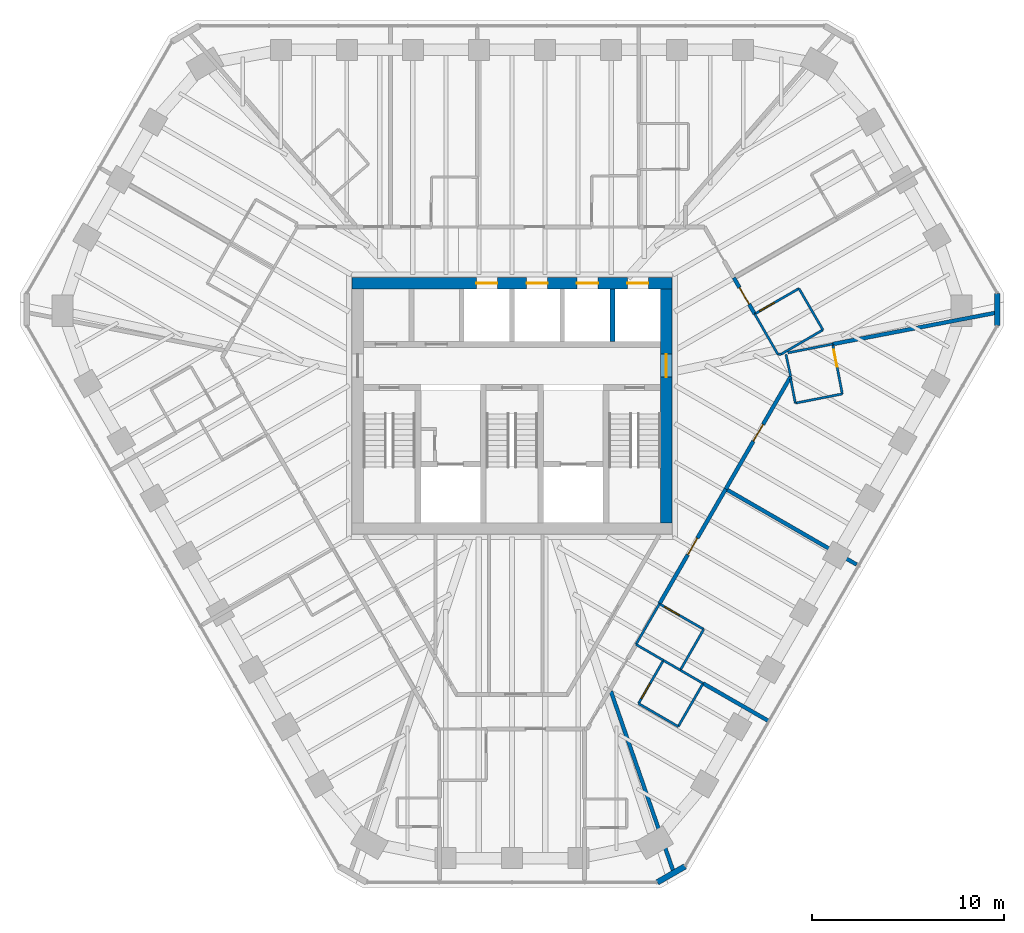
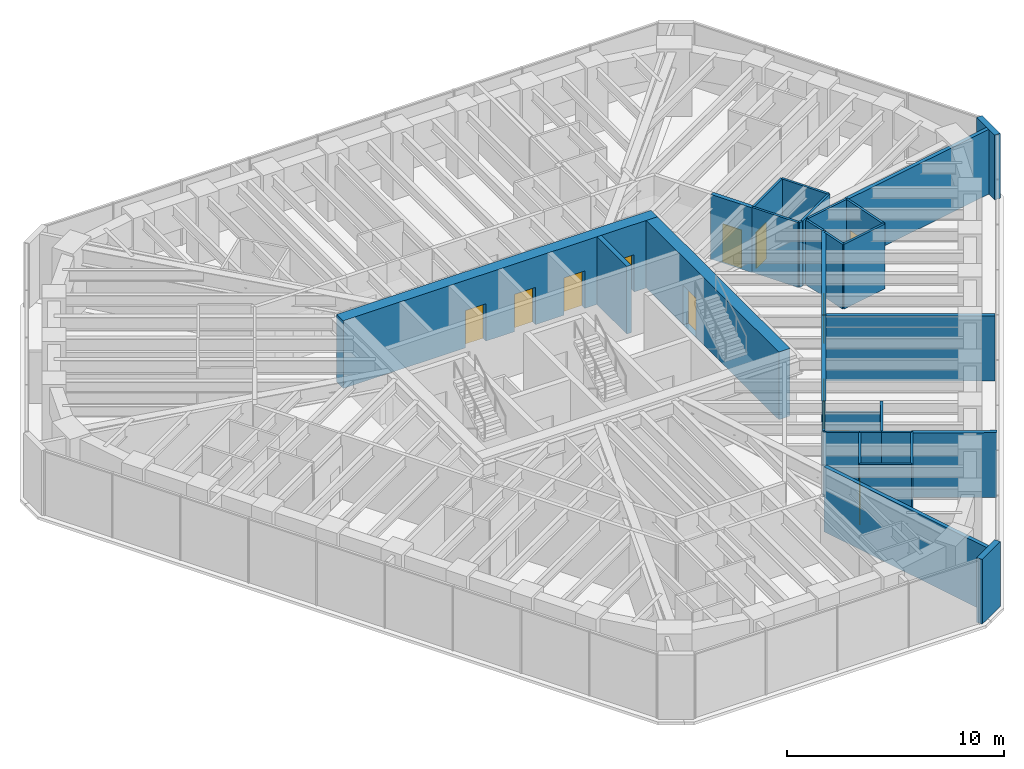
# One storey, part 11 of 14: 31 walls, 12 doors, 12 openings.
"""IFC4 building model written with IfcOpenShell, lengths in metres."""

from ifc_helpers import new_model, si_unit, direction, frame, frame_2d, origin, place, context, subcontext, project, spatial, rectangle, extrude, material, layer, layer_set, type_object, element, fill, save


model = new_model("IFC4")

# Units and contexts
model_context = context("Model", 3, precision=1e-05, world=origin(), true_north=direction((0.0, 1.0)))
body_context = subcontext(model_context, "Body", "Model", "MODEL_VIEW")
ifc_project = project(units=[si_unit("LENGTHUNIT", "METRE"), si_unit("AREAUNIT", "SQUARE_METRE"), si_unit("VOLUMEUNIT", "CUBIC_METRE"), si_unit("PLANEANGLEUNIT", "RADIAN"), si_unit("MASSUNIT", "GRAM", prefix="KILO")], contexts=[model_context])

# Site, building, storey
site_placement = place(None, origin())
site = spatial("IfcSite", under=ifc_project, at=site_placement, CompositionType="ELEMENT")
building_placement = place(site_placement, origin())
building = spatial("IfcBuilding", under=site, at=building_placement, Name="Sandreach Pilgrim Tower", CompositionType="ELEMENT")
storey_placement = place(building_placement, frame((0.0, 0.0, 260.800048828125)))
storey = spatial("IfcBuildingStorey", under=building, at=storey_placement, Name="L65", CompositionType="ELEMENT", Elevation=260.800048828125)

# Walls
ifc_material_1 = material(Name="Moisture-resistant gypsum board on steel studs", Category="steel")
ifc_layer_1 = layer(ifc_material_1, 0.1201171875)
ifc_layer_set_1 = layer_set([ifc_layer_1], Name="Bathroom partition 120")
wall_type_1 = type_object("IfcWallType", Name="Bathroom partition 120", PredefinedType="PARTITIONING", material=ifc_layer_set_1)
wall_1_placement = place(storey_placement, frame((6.46728515625, -12.448486328125, 0.0), z_axis=(0.0, 0.0, 1.0), x_axis=(0.499875104448, 0.866097500258, 0.0)))
element("IfcWall", 1, at=wall_1_placement, inside=storey, type_object=wall_type_1, Name="Bathroom partition L65-080", PredefinedType="PARTITIONING", context=body_context, shape_type="SweptSolid", body=[
    extrude(rectangle(XDim=2.446044921875, YDim=0.1201171875, at=frame_2d((1.22314453125, 0.0))), origin(), (0.0, 0.0, 1.0), 3.639892578125),
])
wall_2_placement = place(storey_placement, frame((6.469970703125, -12.449951171875, 0.0), z_axis=(0.0, 0.0, 1.0), x_axis=(0.864842719649, -0.502042896843, 0.0)))
element("IfcWall", 2, at=wall_2_placement, inside=storey, type_object=wall_type_1, Name="Bathroom partition L65-081", PredefinedType="PARTITIONING", context=body_context, shape_type="SweptSolid", body=[
    extrude(rectangle(XDim=1.6533203125, YDim=0.1201171875, at=frame_2d((0.82666015625, 0.0))), origin(), (0.0, 0.0, 1.0), 3.639892578125),
])
wall_3_placement = place(storey_placement, frame((6.60009765625, -15.530029296875, 0.0), z_axis=(0.0, 0.0, 1.0), x_axis=(0.865130376012, -0.501547039172, 0.0)))
element("IfcWall", 3, at=wall_3_placement, inside=storey, type_object=wall_type_1, Name="Bathroom partition L65-082", PredefinedType="PARTITIONING", context=body_context, shape_type="SweptSolid", body=[
    extrude(rectangle(XDim=2.392578125, YDim=0.1201171875, at=frame_2d((1.1962890625, 0.0))), origin(), (0.0, 0.0, 1.0), 3.639892578125),
])

# Wall, opening, door
wall_4_placement = place(storey_placement, frame((7.89990234375, -13.280029296875, 0.0), z_axis=(0.0, 0.0, 1.0), x_axis=(-0.500221244143, -0.865897630733, 0.0)))
wall_4 = element("IfcWall", 4, at=wall_4_placement, inside=storey, type_object=wall_type_1, Name="Bathroom partition L65-093", PredefinedType="PARTITIONING", context=body_context, shape_type="SweptSolid", body=[
    extrude(rectangle(XDim=2.598388671875, YDim=0.1201171875, at=frame_2d((1.29931640625, 0.0))), origin(), (0.0, 0.0, 1.0), 3.639892578125),
])
opening_1_placement = place(wall_4_placement, frame((1.398681640625, 0.0, 0.0)))
opening_1 = element("IfcOpeningElement", 5, at=opening_1_placement, cuts=wall_4, Name="Opening D09-09B", PredefinedType="OPENING", context=body_context, shape_type="SweptSolid", body=[
    extrude(rectangle(XDim=0.89990234375, YDim=2.030029296875, at=frame_2d((0.449951171875, 1.01513671875))), frame((0.0, 0.06005859375, 0.0), z_axis=(0.0, -1.0, 0.0), x_axis=(1.0, 0.0, 0.0)), (0.0, 0.0, 1.0), 0.1201171875),
])
ifc_material_2 = material(Name="Timber door, steel frame", Category="steel")
door_type_1 = type_object("IfcDoorType", Name="Bathroom door", OperationType="SINGLE_SWING_LEFT", PredefinedType="DOOR", material=ifc_material_2)
door_1_placement = place(opening_1_placement, origin())
door_1 = element("IfcDoor", 6, at=door_1_placement, inside=storey, type_object=door_type_1, Name="Door 6509B", OperationType="SINGLE_SWING_RIGHT", OverallHeight=2.030029296875, OverallWidth=0.89990234375, PredefinedType="DOOR", context=body_context, shape_type="SweptSolid", body=[
    extrude(rectangle(XDim=0.89990234375, YDim=2.030029296875, at=frame_2d((0.449951171875, 1.01513671875))), frame((0.0, 0.02490234375, 0.0), z_axis=(0.0, -1.0, 0.0), x_axis=(1.0, 0.0, 0.0)), (0.0, 0.0, 1.0), 0.050048828125),
])
fill(opening_1, door_1)

# Walls
wall_5_placement = place(storey_placement, frame((7.89990234375, -13.280029296875, 0.0), z_axis=(0.0, 0.0, 1.0), x_axis=(0.86522903342, -0.501376824082, 0.0)))
element("IfcWall", 7, at=wall_5_placement, inside=storey, type_object=wall_type_1, Name="Bathroom partition L65-094", PredefinedType="PARTITIONING", context=body_context, shape_type="SweptSolid", body=[
    extrude(rectangle(XDim=1.017333984375, YDim=0.1201171875, at=frame_2d((0.5087890625, 0.0))), origin(), (0.0, 0.0, 1.0), 3.639892578125),
])
wall_6_placement = place(storey_placement, frame((8.669921875, -16.72998046875, 0.0), z_axis=(0.0, 0.0, 1.0), x_axis=(0.500291685314, 0.865856933682, 0.0)))
element("IfcWall", 8, at=wall_6_placement, inside=storey, type_object=wall_type_1, Name="Bathroom partition L65-096", PredefinedType="PARTITIONING", context=body_context, shape_type="SweptSolid", body=[
    extrude(rectangle(XDim=2.5986328125, YDim=0.1201171875, at=frame_2d((1.29931640625, 0.0))), origin(), (0.0, 0.0, 1.0), 3.639892578125),
])
wall_7_placement = place(storey_placement, frame((8.780029296875, -13.7900390625, 0.0), z_axis=(0.0, 0.0, 1.0), x_axis=(0.865102050426, -0.501595895466, 0.0)))
element("IfcWall", 9, at=wall_7_placement, inside=storey, type_object=wall_type_1, Name="Bathroom partition L65-097", PredefinedType="PARTITIONING", context=body_context, shape_type="SweptSolid", body=[
    extrude(rectangle(XDim=1.37548828125, YDim=0.1201171875, at=frame_2d((0.687744140625, 0.0))), origin(), (0.0, 0.0, 1.0), 3.639892578125),
])
wall_8_placement = place(storey_placement, frame((8.780029296875, -13.7900390625, 0.0), z_axis=(0.0, 0.0, 1.0), x_axis=(0.497027744361, 0.86773464915, 0.0)))
element("IfcWall", 10, at=wall_8_placement, inside=storey, type_object=wall_type_1, Name="Bathroom partition L65-098", PredefinedType="PARTITIONING", context=body_context, shape_type="SweptSolid", body=[
    extrude(rectangle(XDim=2.45458984375, YDim=0.1201171875, at=frame_2d((1.227294921875, 0.0))), origin(), (0.0, 0.0, 1.0), 3.639892578125),
])

# Wall, opening, door
wall_9_placement = place(storey_placement, frame((10.0, -11.659912109375, 0.0), z_axis=(0.0, 0.0, 1.0), x_axis=(-0.866654860089, 0.498908161372, 0.0)))
wall_9 = element("IfcWall", 11, at=wall_9_placement, inside=storey, type_object=wall_type_1, Name="Bathroom partition L65-103", PredefinedType="PARTITIONING", context=body_context, shape_type="SweptSolid", body=[
    extrude(rectangle(XDim=2.66552734375, YDim=0.1201171875, at=frame_2d((1.332763671875, 0.0))), origin(), (0.0, 0.0, 1.0), 3.022705078125),
])
opening_2_placement = place(wall_9_placement, frame((1.465576171875, 0.0, 0.0)))
opening_2 = element("IfcOpeningElement", 12, at=opening_2_placement, cuts=wall_9, Name="Opening D09-08B", PredefinedType="OPENING", context=body_context, shape_type="SweptSolid", body=[
    extrude(rectangle(XDim=0.89990234375, YDim=2.030029296875, at=frame_2d((0.449951171875, 1.01513671875))), frame((0.0, 0.06005859375, 0.0), z_axis=(0.0, -1.0, 0.0), x_axis=(1.0, 0.0, 0.0)), (0.0, 0.0, 1.0), 0.1201171875),
])
door_2_placement = place(opening_2_placement, origin())
door_2 = element("IfcDoor", 13, at=door_2_placement, inside=storey, type_object=door_type_1, Name="Door 6508B", OperationType="SINGLE_SWING_RIGHT", OverallHeight=2.030029296875, OverallWidth=0.89990234375, PredefinedType="DOOR", context=body_context, shape_type="SweptSolid", body=[
    extrude(rectangle(XDim=0.89990234375, YDim=2.030029296875, at=frame_2d((0.449951171875, 1.01513671875))), frame((0.0, 0.02490234375, 0.0), z_axis=(0.0, -1.0, 0.0), x_axis=(1.0, 0.0, 0.0)), (0.0, 0.0, 1.0), 0.050048828125),
])
fill(opening_2, door_2)

# Walls
wall_10_placement = place(storey_placement, frame((12.659912109375, 4.7900390625, 0.0), z_axis=(0.0, 0.0, 1.0), x_axis=(0.498748634132, -0.866746675766, 0.0)))
element("IfcWall", 14, at=wall_10_placement, inside=storey, type_object=wall_type_1, Name="Bathroom partition L65-109", PredefinedType="PARTITIONING", context=body_context, shape_type="SweptSolid", body=[
    extrude(rectangle(XDim=2.446044921875, YDim=0.1201171875, at=frame_2d((1.22314453125, 0.0))), origin(), (0.0, 0.0, 1.0), 3.639892578125),
])
wall_11_placement = place(storey_placement, frame((14.0478515625, 2.70361328125, 0.0), z_axis=(0.0, 0.0, 1.0), x_axis=(-0.981954528773, -0.189117168504, 0.0)))
element("IfcWall", 15, at=wall_11_placement, inside=storey, type_object=wall_type_1, Name="Bathroom partition L65-110", PredefinedType="PARTITIONING", context=body_context, shape_type="SweptSolid", body=[
    extrude(rectangle(XDim=0.167724609375, YDim=0.1201171875, at=frame_2d((0.083984375, 0.0))), origin(), (0.0, 0.0, 1.0), 3.639892578125),
])
wall_12_placement = place(storey_placement, frame((14.050048828125, 2.699951171875, 0.0), z_axis=(0.0, 0.0, 1.0), x_axis=(0.864779406007, 0.502151948065, 0.0)))
element("IfcWall", 16, at=wall_12_placement, inside=storey, type_object=wall_type_1, Name="Bathroom partition L65-111", PredefinedType="PARTITIONING", context=body_context, shape_type="SweptSolid", body=[
    extrude(rectangle(XDim=2.50927734375, YDim=0.1201171875, at=frame_2d((1.254638671875, 0.0))), origin(), (0.0, 0.0, 1.0), 3.639892578125),
])
wall_13_placement = place(storey_placement, frame((14.537109375, 1.401611328125, 0.0), z_axis=(0.0, 0.0, 1.0), x_axis=(0.189058811395, -0.981965766121, 0.0)))
element("IfcWall", 17, at=wall_13_placement, inside=storey, type_object=wall_type_1, Name="Bathroom partition L65-112", PredefinedType="PARTITIONING", context=body_context, shape_type="SweptSolid", body=[
    extrude(rectangle(XDim=1.284912109375, YDim=0.1201171875, at=frame_2d((0.642578125, 0.0))), origin(), (0.0, 0.0, 1.0), 3.639892578125),
])
wall_14_placement = place(storey_placement, frame((14.540283203125, 1.531494140625, 0.0), z_axis=(0.0, 0.0, 1.0), x_axis=(-0.213239076566, 0.977000049245, 0.0)))
element("IfcWall", 18, at=wall_14_placement, inside=storey, type_object=wall_type_1, Name="Bathroom partition L65-113", PredefinedType="PARTITIONING", context=body_context, shape_type="SweptSolid", body=[
    extrude(rectangle(XDim=1.177001953125, YDim=0.1201171875, at=frame_2d((0.58837890625, 0.0))), origin(), (0.0, 0.0, 1.0), 3.639892578125),
])
wall_15_placement = place(storey_placement, frame((14.780029296875, 0.139892578125, 0.0), z_axis=(0.0, 0.0, 1.0), x_axis=(0.981325695508, 0.192353526962, 0.0)))
element("IfcWall", 19, at=wall_15_placement, inside=storey, type_object=wall_type_1, Name="Bathroom partition L65-114", PredefinedType="PARTITIONING", context=body_context, shape_type="SweptSolid", body=[
    extrude(rectangle(XDim=2.49658203125, YDim=0.1201171875, at=frame_2d((1.248291015625, 0.0))), origin(), (0.0, 0.0, 1.0), 3.639892578125),
])

# Wall, opening, door
wall_16_placement = place(storey_placement, frame((14.969970703125, 6.1201171875, 0.0), z_axis=(0.0, 0.0, 1.0), x_axis=(-0.866615255992, -0.498976951453, 0.0)))
wall_16 = element("IfcWall", 20, at=wall_16_placement, inside=storey, type_object=wall_type_1, Name="Bathroom partition L65-115", PredefinedType="PARTITIONING", context=body_context, shape_type="SweptSolid", body=[
    extrude(rectangle(XDim=2.66552734375, YDim=0.1201171875, at=frame_2d((1.332763671875, 0.0))), origin(), (0.0, 0.0, 1.0), 3.639892578125),
])
opening_3_placement = place(wall_16_placement, frame((1.465576171875, 0.0, 0.0)))
opening_3 = element("IfcOpeningElement", 21, at=opening_3_placement, cuts=wall_16, Name="Opening D09-06B", PredefinedType="OPENING", context=body_context, shape_type="SweptSolid", body=[
    extrude(rectangle(XDim=0.89990234375, YDim=2.030029296875, at=frame_2d((0.449951171875, 1.01513671875))), frame((0.0, 0.06005859375, 0.0), z_axis=(0.0, -1.0, 0.0), x_axis=(1.0, 0.0, 0.0)), (0.0, 0.0, 1.0), 0.1201171875),
])
door_3_placement = place(opening_3_placement, origin())
door_3 = element("IfcDoor", 22, at=door_3_placement, inside=storey, type_object=door_type_1, Name="Door 6506B", OperationType="SINGLE_SWING_RIGHT", OverallHeight=2.030029296875, OverallWidth=0.89990234375, PredefinedType="DOOR", context=body_context, shape_type="SweptSolid", body=[
    extrude(rectangle(XDim=0.89990234375, YDim=2.030029296875, at=frame_2d((0.449951171875, 1.01513671875))), frame((0.0, 0.02490234375, 0.0), z_axis=(0.0, -1.0, 0.0), x_axis=(1.0, 0.0, 0.0)), (0.0, 0.0, 1.0), 0.050048828125),
])
fill(opening_3, door_3)

# Walls
wall_17_placement = place(storey_placement, frame((16.219970703125, 3.9599609375, 0.0), z_axis=(0.0, 0.0, 1.0), x_axis=(-0.500893576935, 0.865508881864, 0.0)))
element("IfcWall", 23, at=wall_17_placement, inside=storey, type_object=wall_type_1, Name="Bathroom partition L65-117", PredefinedType="PARTITIONING", context=body_context, shape_type="SweptSolid", body=[
    extrude(rectangle(XDim=2.49560546875, YDim=0.1201171875, at=frame_2d((1.247802734375, 0.0))), origin(), (0.0, 0.0, 1.0), 3.639892578125),
])
wall_18_placement = place(storey_placement, frame((16.72998046875, 3.219970703125, 0.0), z_axis=(0.0, 0.0, 1.0), x_axis=(-0.981490592026, -0.19151035942, 0.0)))
element("IfcWall", 24, at=wall_18_placement, inside=storey, type_object=wall_type_1, Name="Bathroom partition L65-118", PredefinedType="PARTITIONING", context=body_context, shape_type="SweptSolid", body=[
    extrude(rectangle(XDim=2.386474609375, YDim=0.1201171875, at=frame_2d((1.193359375, 0.0))), origin(), (0.0, 0.0, 1.0), 3.639892578125),
])

# Wall, opening, door
wall_19_placement = place(storey_placement, frame((17.22998046875, 0.6201171875, 0.0), z_axis=(0.0, 0.0, 1.0), x_axis=(-0.18885765444, 0.982004473696, 0.0)))
wall_19 = element("IfcWall", 25, at=wall_19_placement, inside=storey, type_object=wall_type_1, Name="Bathroom partition L65-123", PredefinedType="PARTITIONING", context=body_context, shape_type="SweptSolid", body=[
    extrude(rectangle(XDim=2.6474609375, YDim=0.1201171875, at=frame_2d((1.32373046875, 0.0))), origin(), (0.0, 0.0, 1.0), 3.639892578125),
])
opening_4_placement = place(wall_19_placement, frame((1.447509765625, 0.0, 0.0)))
opening_4 = element("IfcOpeningElement", 26, at=opening_4_placement, cuts=wall_19, Name="Opening D09-07B", PredefinedType="OPENING", context=body_context, shape_type="SweptSolid", body=[
    extrude(rectangle(XDim=0.89990234375, YDim=2.030029296875, at=frame_2d((0.449951171875, 1.01513671875))), frame((0.0, 0.06005859375, 0.0), z_axis=(0.0, -1.0, 0.0), x_axis=(1.0, 0.0, 0.0)), (0.0, 0.0, 1.0), 0.1201171875),
])
door_4_placement = place(opening_4_placement, origin())
door_4 = element("IfcDoor", 27, at=door_4_placement, inside=storey, type_object=door_type_1, Name="Door 6507B", OperationType="SINGLE_SWING_RIGHT", OverallHeight=2.030029296875, OverallWidth=0.89990234375, PredefinedType="DOOR", context=body_context, shape_type="SweptSolid", body=[
    extrude(rectangle(XDim=0.89990234375, YDim=2.030029296875, at=frame_2d((0.449951171875, 1.01513671875))), frame((0.0, 0.02490234375, 0.0), z_axis=(0.0, -1.0, 0.0), x_axis=(1.0, 0.0, 0.0)), (0.0, 0.0, 1.0), 0.050048828125),
])
fill(opening_4, door_4)

# Wall, openings, doors
ifc_material_3 = material(Name="Concrete 10000 psi", Category="concrete")
ifc_layer_2 = layer(ifc_material_3, 0.60009765625)
ifc_layer_set_2 = layer_set([ifc_layer_2], Name="Core wall 600")
wall_type_2 = type_object("IfcWallType", Name="Core wall 600", PredefinedType="SHEAR", material=ifc_layer_set_2)
wall_20_placement = place(storey_placement, frame((-8.35009765625, 6.39990234375, 0.0), z_axis=(0.0, 0.0, 1.0), x_axis=(1.0, 0.0, 0.0)))
wall_20 = element("IfcWall", 28, at=wall_20_placement, inside=storey, type_object=wall_type_2, Name="Core wall N L65", PredefinedType="SHEAR", context=body_context, shape_type="SweptSolid", body=[
    extrude(rectangle(XDim=16.7001953125, YDim=0.60009765625, at=frame_2d((8.35009765625, 0.0))), origin(), (0.0, 0.0, 1.0), 3.800048828125),
])
opening_5_placement = place(wall_20_placement, frame((6.487548828125, 0.0, 0.0)))
opening_5 = element("IfcOpeningElement", 29, at=opening_5_placement, cuts=wall_20, Name="Opening LD11", PredefinedType="OPENING", context=body_context, shape_type="SweptSolid", body=[
    extrude(rectangle(XDim=1.10009765625, YDim=2.10009765625, at=frame_2d((0.550048828125, 1.050048828125))), frame((0.0, 0.300048828125, 0.0), z_axis=(0.0, -1.0, 0.0), x_axis=(1.0, 0.0, 0.0)), (0.0, 0.0, 1.0), 0.60009765625),
])
opening_6_placement = place(wall_20_placement, frame((9.112548828125, 0.0, 0.0)))
opening_6 = element("IfcOpeningElement", 30, at=opening_6_placement, cuts=wall_20, Name="Opening LD11", PredefinedType="OPENING", context=body_context, shape_type="SweptSolid", body=[
    extrude(rectangle(XDim=1.10009765625, YDim=2.10009765625, at=frame_2d((0.550048828125, 1.050048828125))), frame((0.0, 0.300048828125, 0.0), z_axis=(0.0, -1.0, 0.0), x_axis=(1.0, 0.0, 0.0)), (0.0, 0.0, 1.0), 0.60009765625),
])
opening_7_placement = place(wall_20_placement, frame((11.737548828125, 0.0, 0.0)))
opening_7 = element("IfcOpeningElement", 31, at=opening_7_placement, cuts=wall_20, Name="Opening LD11", PredefinedType="OPENING", context=body_context, shape_type="SweptSolid", body=[
    extrude(rectangle(XDim=1.10009765625, YDim=2.10009765625, at=frame_2d((0.550048828125, 1.050048828125))), frame((0.0, 0.300048828125, 0.0), z_axis=(0.0, -1.0, 0.0), x_axis=(1.0, 0.0, 0.0)), (0.0, 0.0, 1.0), 0.60009765625),
])
opening_8_placement = place(wall_20_placement, frame((14.362548828125, 0.0, 0.0)))
opening_8 = element("IfcOpeningElement", 32, at=opening_8_placement, cuts=wall_20, Name="Opening LD11", PredefinedType="OPENING", context=body_context, shape_type="SweptSolid", body=[
    extrude(rectangle(XDim=1.10009765625, YDim=2.10009765625, at=frame_2d((0.550048828125, 1.050048828125))), frame((0.0, 0.300048828125, 0.0), z_axis=(0.0, -1.0, 0.0), x_axis=(1.0, 0.0, 0.0)), (0.0, 0.0, 1.0), 0.60009765625),
])
ifc_material_4 = material(Name="Steel door and frame", Category="steel")
door_type_2 = type_object("IfcDoorType", Name="Lift landing door", OperationType="DOUBLE_DOOR_SLIDING", PredefinedType="DOOR", material=ifc_material_4)
door_5_placement = place(opening_5_placement, origin())
door_5 = element("IfcDoor", 33, at=door_5_placement, inside=storey, type_object=door_type_2, Name="Lift landing door Z3A L65", OperationType="DOUBLE_DOOR_SLIDING", OverallHeight=2.10009765625, OverallWidth=1.10009765625, PredefinedType="DOOR", context=body_context, shape_type="SweptSolid", body=[
    extrude(rectangle(XDim=1.10009765625, YDim=2.10009765625, at=frame_2d((0.550048828125, 1.050048828125))), frame((0.0, 0.02490234375, 0.0), z_axis=(0.0, -1.0, 0.0), x_axis=(1.0, 0.0, 0.0)), (0.0, 0.0, 1.0), 0.050048828125),
])
fill(opening_5, door_5)
door_6_placement = place(opening_6_placement, origin())
door_6 = element("IfcDoor", 34, at=door_6_placement, inside=storey, type_object=door_type_2, Name="Lift landing door Z3B L65", OperationType="DOUBLE_DOOR_SLIDING", OverallHeight=2.10009765625, OverallWidth=1.10009765625, PredefinedType="DOOR", context=body_context, shape_type="SweptSolid", body=[
    extrude(rectangle(XDim=1.10009765625, YDim=2.10009765625, at=frame_2d((0.550048828125, 1.050048828125))), frame((0.0, 0.02490234375, 0.0), z_axis=(0.0, -1.0, 0.0), x_axis=(1.0, 0.0, 0.0)), (0.0, 0.0, 1.0), 0.050048828125),
])
fill(opening_6, door_6)
door_7_placement = place(opening_7_placement, origin())
door_7 = element("IfcDoor", 35, at=door_7_placement, inside=storey, type_object=door_type_2, Name="Lift landing door Z3C L65", OperationType="DOUBLE_DOOR_SLIDING", OverallHeight=2.10009765625, OverallWidth=1.10009765625, PredefinedType="DOOR", context=body_context, shape_type="SweptSolid", body=[
    extrude(rectangle(XDim=1.10009765625, YDim=2.10009765625, at=frame_2d((0.550048828125, 1.050048828125))), frame((0.0, 0.02490234375, 0.0), z_axis=(0.0, -1.0, 0.0), x_axis=(1.0, 0.0, 0.0)), (0.0, 0.0, 1.0), 0.050048828125),
])
fill(opening_7, door_7)
door_8_placement = place(opening_8_placement, origin())
door_8 = element("IfcDoor", 36, at=door_8_placement, inside=storey, type_object=door_type_2, Name="Lift landing door Z3D L65", OperationType="DOUBLE_DOOR_SLIDING", OverallHeight=2.10009765625, OverallWidth=1.10009765625, PredefinedType="DOOR", context=body_context, shape_type="SweptSolid", body=[
    extrude(rectangle(XDim=1.10009765625, YDim=2.10009765625, at=frame_2d((0.550048828125, 1.050048828125))), frame((0.0, 0.02490234375, 0.0), z_axis=(0.0, -1.0, 0.0), x_axis=(1.0, 0.0, 0.0)), (0.0, 0.0, 1.0), 0.050048828125),
])
fill(opening_8, door_8)

# Wall, opening, door
wall_21_placement = place(storey_placement, frame((8.050048828125, -6.10009765625, 0.0), z_axis=(0.0, 0.0, 1.0), x_axis=(0.0, 1.0, 0.0)))
wall_21 = element("IfcWall", 37, at=wall_21_placement, inside=storey, type_object=wall_type_2, Name="Core wall E L65", PredefinedType="SHEAR", context=body_context, shape_type="SweptSolid", body=[
    extrude(rectangle(XDim=12.2001953125, YDim=0.60009765625, at=frame_2d((6.10009765625, 0.0))), origin(), (0.0, 0.0, 1.0), 3.800048828125),
])
opening_9_placement = place(wall_21_placement, frame((7.60009765625, 0.0, 0.0)))
opening_9 = element("IfcOpeningElement", 38, at=opening_9_placement, cuts=wall_21, Name="Opening D12F-E", PredefinedType="OPENING", context=body_context, shape_type="SweptSolid", body=[
    extrude(rectangle(XDim=1.199951171875, YDim=2.199951171875, at=frame_2d((0.60009765625, 1.10009765625))), frame((0.0, 0.300048828125, 0.0), z_axis=(0.0, -1.0, 0.0), x_axis=(1.0, 0.0, 0.0)), (0.0, 0.0, 1.0), 0.60009765625),
])
ifc_material_5 = material(Name="Steel door and frame", Category="steel")
door_type_3 = type_object("IfcDoorType", Name="Fire lobby door", OperationType="SINGLE_SWING_LEFT", PredefinedType="DOOR", material=ifc_material_5)
door_9_placement = place(opening_9_placement, origin())
door_9 = element("IfcDoor", 39, at=door_9_placement, inside=storey, type_object=door_type_3, Name="Fire service lobby door E L65", OperationType="SINGLE_SWING_RIGHT", OverallHeight=2.199951171875, OverallWidth=1.199951171875, PredefinedType="DOOR", context=body_context, shape_type="SweptSolid", body=[
    extrude(rectangle(XDim=1.199951171875, YDim=2.199951171875, at=frame_2d((0.60009765625, 1.10009765625))), frame((0.0, 0.02490234375, 0.0), z_axis=(0.0, -1.0, 0.0), x_axis=(1.0, 0.0, 0.0)), (0.0, 0.0, 1.0), 0.050048828125),
])
fill(opening_9, door_9)

ifc_material_6 = material(Name="Gypsum board on steel studs, two layers each side", Category="steel")
ifc_layer_3 = layer(ifc_material_6, 0.199951171875)
ifc_layer_set_3 = layer_set([ifc_layer_3], Name="Corridor wall 200")
wall_type_3 = type_object("IfcWallType", Name="Corridor wall 200", PredefinedType="PARTITIONING", material=ifc_layer_set_3)
wall_22_placement = place(storey_placement, frame((7.68994140625, -10.330078125, 0.0), z_axis=(0.0, 0.0, 1.0), x_axis=(0.500177633683, 0.865922822637, 0.0)))
wall_22 = element("IfcWall", 40, at=wall_22_placement, inside=storey, type_object=wall_type_3, Name="Corridor wall L65-092", PredefinedType="PARTITIONING", context=body_context, shape_type="SweptSolid", body=[
    extrude(rectangle(XDim=6.91748046875, YDim=0.199951171875, at=frame_2d((3.458740234375, 0.0))), origin(), (0.0, 0.0, 1.0), 3.639892578125),
])
opening_10_placement = place(wall_22_placement, frame((2.958740234375, 0.0, 0.0)))
opening_10 = element("IfcOpeningElement", 41, at=opening_10_placement, cuts=wall_22, Name="Opening D10-08", PredefinedType="OPENING", context=body_context, shape_type="SweptSolid", body=[
    extrude(rectangle(XDim=1.0, YDim=2.1298828125, at=frame_2d((0.5, 1.06494140625))), frame((0.0, 0.10009765625, 0.0), z_axis=(0.0, -1.0, 0.0), x_axis=(1.0, 0.0, 0.0)), (0.0, 0.0, 1.0), 0.199951171875),
])
ifc_material_7 = material(Name="Steel door and frame", Category="steel")
door_type_4 = type_object("IfcDoorType", Name="Guest room entry door", OperationType="SINGLE_SWING_LEFT", PredefinedType="DOOR", material=ifc_material_7)
door_10_placement = place(opening_10_placement, origin())
door_10 = element("IfcDoor", 42, at=door_10_placement, inside=storey, type_object=door_type_4, Name="Door 6508", OperationType="SINGLE_SWING_LEFT", OverallHeight=2.1298828125, OverallWidth=1.0, PredefinedType="DOOR", context=body_context, shape_type="SweptSolid", body=[
    extrude(rectangle(XDim=1.0, YDim=2.1298828125, at=frame_2d((0.5, 1.06494140625))), frame((0.0, 0.02490234375, 0.0), z_axis=(0.0, -1.0, 0.0), x_axis=(1.0, 0.0, 0.0)), (0.0, 0.0, 1.0), 0.050048828125),
])
fill(opening_10, door_10)

wall_23_placement = place(storey_placement, frame((11.14990234375, -4.340087890625, 0.0), z_axis=(0.0, 0.0, 1.0), x_axis=(0.500113178326, 0.865960050386, 0.0)))
wall_23 = element("IfcWall", 43, at=wall_23_placement, inside=storey, type_object=wall_type_3, Name="Corridor wall L65-106", PredefinedType="PARTITIONING", context=body_context, shape_type="SweptSolid", body=[
    extrude(rectangle(XDim=6.77880859375, YDim=0.199951171875, at=frame_2d((3.389404296875, 0.0))), origin(), (0.0, 0.0, 1.0), 3.639892578125),
])
opening_11_placement = place(wall_23_placement, frame((2.889404296875, 0.0, 0.0)))
opening_11 = element("IfcOpeningElement", 44, at=opening_11_placement, cuts=wall_23, Name="Opening D10-07", PredefinedType="OPENING", context=body_context, shape_type="SweptSolid", body=[
    extrude(rectangle(XDim=1.0, YDim=2.1298828125, at=frame_2d((0.5, 1.06494140625))), frame((0.0, 0.10009765625, 0.0), z_axis=(0.0, -1.0, 0.0), x_axis=(1.0, 0.0, 0.0)), (0.0, 0.0, 1.0), 0.199951171875),
])
door_11_placement = place(opening_11_placement, origin())
door_11 = element("IfcDoor", 45, at=door_11_placement, inside=storey, type_object=door_type_4, Name="Door 6507", OperationType="SINGLE_SWING_LEFT", OverallHeight=2.1298828125, OverallWidth=1.0, PredefinedType="DOOR", context=body_context, shape_type="SweptSolid", body=[
    extrude(rectangle(XDim=1.0, YDim=2.1298828125, at=frame_2d((0.5, 1.06494140625))), frame((0.0, 0.02490234375, 0.0), z_axis=(0.0, -1.0, 0.0), x_axis=(1.0, 0.0, 0.0)), (0.0, 0.0, 1.0), 0.050048828125),
])
fill(opening_11, door_11)

wall_24_placement = place(storey_placement, frame((11.571044921875, 6.6806640625, 0.0), z_axis=(0.0, 0.0, 1.0), x_axis=(0.500374530646, -0.865809060406, 0.0)))
wall_24 = element("IfcWall", 46, at=wall_24_placement, inside=storey, type_object=wall_type_3, Name="Corridor wall L65-107", PredefinedType="PARTITIONING", context=body_context, shape_type="SweptSolid", body=[
    extrude(rectangle(XDim=2.181884765625, YDim=0.199951171875, at=frame_2d((1.0908203125, 0.0))), origin(), (0.0, 0.0, 1.0), 3.639892578125),
])
opening_12_placement = place(wall_24_placement, frame((0.5908203125, 0.0, 0.0)))
opening_12 = element("IfcOpeningElement", 47, at=opening_12_placement, cuts=wall_24, Name="Opening D10-06", PredefinedType="OPENING", context=body_context, shape_type="SweptSolid", body=[
    extrude(rectangle(XDim=1.0, YDim=2.1298828125, at=frame_2d((0.5, 1.06494140625))), frame((0.0, 0.10009765625, 0.0), z_axis=(0.0, -1.0, 0.0), x_axis=(1.0, 0.0, 0.0)), (0.0, 0.0, 1.0), 0.199951171875),
])
door_12_placement = place(opening_12_placement, origin())
door_12 = element("IfcDoor", 48, at=door_12_placement, inside=storey, type_object=door_type_4, Name="Door 6506", OperationType="SINGLE_SWING_LEFT", OverallHeight=2.1298828125, OverallWidth=1.0, PredefinedType="DOOR", context=body_context, shape_type="SweptSolid", body=[
    extrude(rectangle(XDim=1.0, YDim=2.1298828125, at=frame_2d((0.5, 1.06494140625))), frame((0.0, 0.02490234375, 0.0), z_axis=(0.0, -1.0, 0.0), x_axis=(1.0, 0.0, 0.0)), (0.0, 0.0, 1.0), 0.050048828125),
])
fill(opening_12, door_12)

# Walls
ifc_material_8 = material(Name="Double steel stud acoustic wall, gypsum board", Category="steel")
ifc_layer_4 = layer(ifc_material_8, 0.199951171875)
ifc_layer_set_4 = layer_set([ifc_layer_4], Name="Party wall 200")
wall_type_4 = type_object("IfcWallType", Name="Party wall 200", PredefinedType="PARTITIONING", material=ifc_layer_set_4)
wall_25_placement = place(storey_placement, frame((8.4501953125, -24.381591796875, 0.0), z_axis=(0.0, 0.0, 1.0), x_axis=(-0.327686879249, 0.944786382823, 0.0)))
element("IfcWall", 49, at=wall_25_placement, inside=storey, type_object=wall_type_4, Name="Party wall L65-095", PredefinedType="PARTITIONING", context=body_context, shape_type="SweptSolid", body=[
    extrude(rectangle(XDim=10.052978515625, YDim=0.199951171875, at=frame_2d((5.0263671875, 0.0))), origin(), (0.0, 0.0, 1.0), 3.639892578125),
])
wall_26_placement = place(storey_placement, frame((9.969970703125, -14.47998046875, 0.0), z_axis=(0.0, 0.0, 1.0), x_axis=(0.867154119852, -0.498039890395, 0.0)))
element("IfcWall", 50, at=wall_26_placement, inside=storey, type_object=wall_type_4, Name="Party wall L65-102", PredefinedType="PARTITIONING", context=body_context, shape_type="SweptSolid", body=[
    extrude(rectangle(XDim=3.925537109375, YDim=0.199951171875, at=frame_2d((1.962890625, 0.0))), origin(), (0.0, 0.0, 1.0), 3.639892578125),
])
wall_27_placement = place(storey_placement, frame((16.72998046875, 3.219970703125, 0.0), z_axis=(0.0, 0.0, 1.0), x_axis=(0.982039995549, 0.188672857462, 0.0)))
element("IfcWall", 51, at=wall_27_placement, inside=storey, type_object=wall_type_4, Name="Party wall L65-119", PredefinedType="PARTITIONING", context=body_context, shape_type="SweptSolid", body=[
    extrude(rectangle(XDim=8.76806640625, YDim=0.199951171875, at=frame_2d((4.384033203125, 0.0))), origin(), (0.0, 0.0, 1.0), 3.639892578125),
])
wall_28_placement = place(storey_placement, frame((17.97607421875, -8.280029296875, 0.0), z_axis=(0.0, 0.0, 1.0), x_axis=(-0.866080683341, 0.499904240773, 0.0)))
element("IfcWall", 52, at=wall_28_placement, inside=storey, type_object=wall_type_4, Name="Party wall L65-125", PredefinedType="PARTITIONING", context=body_context, shape_type="SweptSolid", body=[
    extrude(rectangle(XDim=7.86669921875, YDim=0.199951171875, at=frame_2d((3.933349609375, 0.0))), origin(), (0.0, 0.0, 1.0), 3.639892578125),
])
ifc_material_9 = material(Name="Gypsum shaft wall on steel studs, two layers of shaft liner board", Category="steel")
ifc_layer_5 = layer(ifc_material_9, 0.25)
ifc_layer_set_5 = layer_set([ifc_layer_5], Name="Shaft partition 250")
wall_type_5 = type_object("IfcWallType", Name="Shaft partition 250", PredefinedType="PARTITIONING", material=ifc_layer_set_5)
wall_29_placement = place(storey_placement, frame((5.25, 3.35009765625, 0.0), z_axis=(0.0, 0.0, 1.0), x_axis=(0.0, 1.0, 0.0)))
element("IfcWall", 53, at=wall_29_placement, inside=storey, type_object=wall_type_5, Name="Shaft partition NS4 L65", PredefinedType="PARTITIONING", context=body_context, shape_type="SweptSolid", body=[
    extrude(rectangle(XDim=2.75, YDim=0.25, at=frame_2d((1.375, 0.0))), origin(), (0.0, 0.0, 1.0), 3.800048828125),
])
ifc_material_10 = material(Name="Terracotta rainscreen on concrete", Category="masonry")
ifc_layer_6 = layer(ifc_material_10, 0.300048828125)
ifc_layer_set_6 = layer_set([ifc_layer_6], Name="Terracotta chamfer pier")
wall_type_6 = type_object("IfcWallType", Name="Terracotta chamfer pier", PredefinedType="SOLIDWALL", material=ifc_layer_set_6)
for number, where, z_axis, x_axis, name in (
    (54, (25.3193359375, 5.861572265625, 0.0), (0.0, 0.0, 1.0), (0.0, -1.0, 0.0), "Chamfer pier L65 NE"),
    (55, (9.02099609375, -24.028076171875, 0.0), (0.0, 0.0, 1.0), (-0.865989634427, -0.500061949227, 0.0), "Chamfer pier L65 SE"),
):
    element("IfcWall", number, at=place(storey_placement, frame(where, z_axis=z_axis, x_axis=x_axis)), inside=storey, type_object=wall_type_6, Name=name, PredefinedType="SOLIDWALL", context=body_context, shape_type="SweptSolid", body=[
        extrude(rectangle(XDim=1.659912109375, YDim=0.300048828125, at=frame_2d((0.830078125, 0.0))), origin(), (0.0, 0.0, 1.0), 3.639892578125),
    ])

save(model, "model.ifc")
